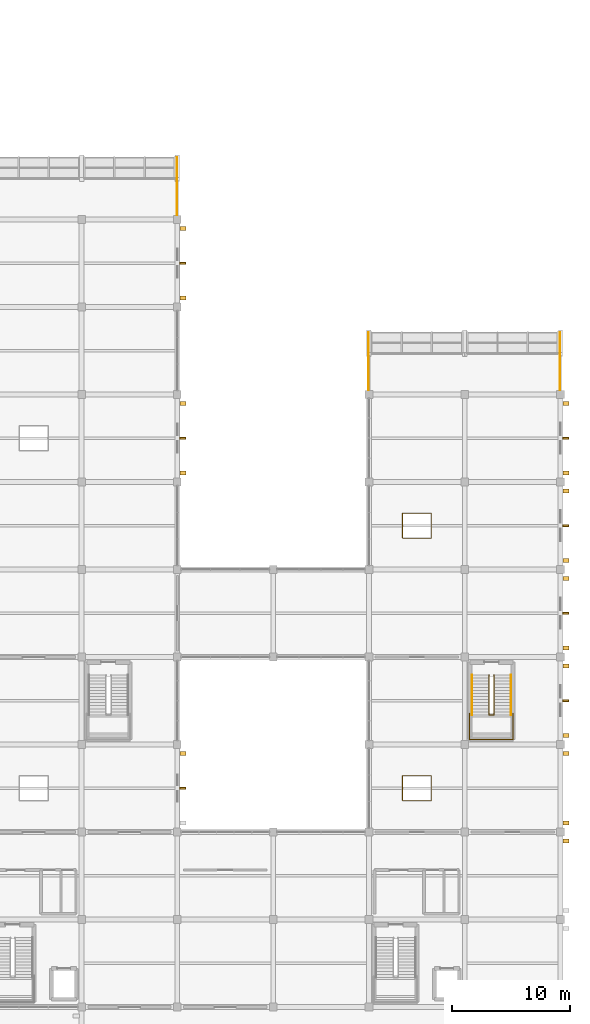
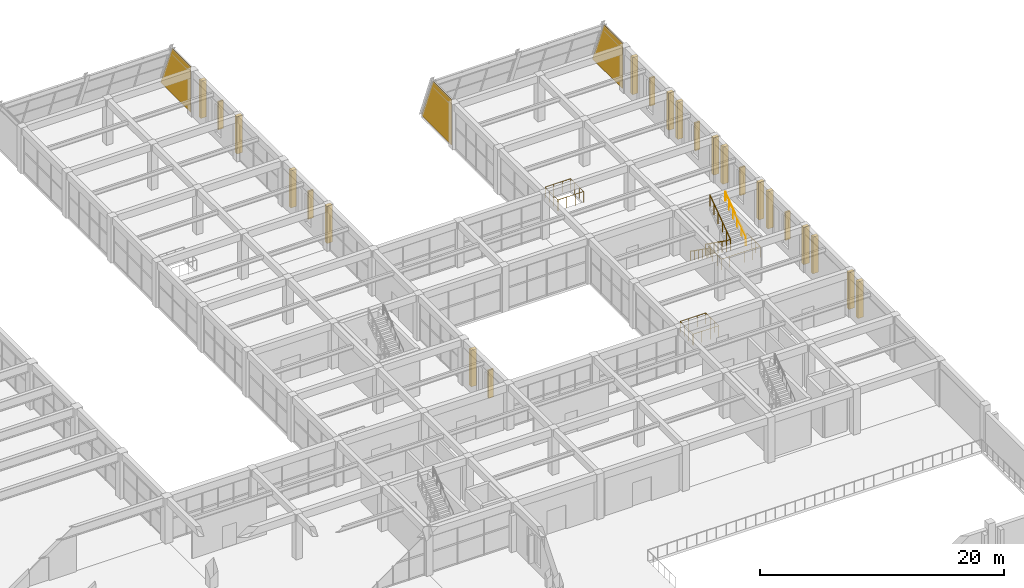
# One storey, part 161 of 161: 23 shading devices, 6 railings, 3 coverings.
"""IFC4 building model written with IfcOpenShell, lengths in metres."""

from ifc_helpers import new_model, si_unit, direction, frame, origin, origin_2d, place, context, subcontext, project, spatial, polyline, rectangle, circle, outline, extrude, material, layer, layer_set, type_object, element, save


model = new_model("IFC4")

# Units and contexts
model_context = context("Model", 3, precision=1e-05, world=origin(), true_north=direction((0.0, 1.0)))
body_context = subcontext(model_context, "Body", "Model", "MODEL_VIEW")
ifc_project = project(units=[si_unit("LENGTHUNIT", "METRE"), si_unit("AREAUNIT", "SQUARE_METRE"), si_unit("VOLUMEUNIT", "CUBIC_METRE"), si_unit("PLANEANGLEUNIT", "RADIAN"), si_unit("MASSUNIT", "GRAM", prefix="KILO")], contexts=[model_context])

# Site, building, storey
site_placement = place(None, origin())
site = spatial("IfcSite", under=ifc_project, at=site_placement, CompositionType="ELEMENT")
building_placement = place(site_placement, origin())
building = spatial("IfcBuilding", under=site, at=building_placement, Name="Cimatlan Art Gallery", CompositionType="ELEMENT")
storey_placement = place(building_placement, frame((0.0, 0.0, 5.39990234375)))
storey = spatial("IfcBuildingStorey", under=building, at=storey_placement, Name="L01", CompositionType="ELEMENT", Elevation=5.39990234375)

# Coverings
ifc_material_1 = material(Name="Queretaro cantera limestone ashlar hood-mould", Category="masonry")
ifc_layer = layer(ifc_material_1, 0.0419921875)
ifc_layer_set = layer_set([ifc_layer], Name="Queretaro cantera limestone ashlar hood-mould")
covering_type = type_object("IfcCoveringType", Name="COV-CLAD-CANTERA-42", PredefinedType="CLADDING", material=ifc_layer_set)
for number, where, z_axis, x_axis, name in (
    (1, (131.60009765625, 90.85009765625, 0.0), (1.0, 0.0, 0.0), (0.0, 1.0, 0.0), "CLD-PRW-L01-B4-E"),
    (2, (147.800048828125, 76.050048828125, 0.0), (1.0, 0.0, 0.0), (0.0, 1.0, 0.0), "CLD-PRW-L01-B5-W"),
    (3, (164.0, 76.050048828125, 0.0), (1.0, 0.0, 0.0), (0.0, 1.0, 0.0), "CLD-PRW-L01-B5-E"),
):
    element("IfcCovering", number, at=place(storey_placement, frame(where, z_axis=z_axis, x_axis=x_axis)), inside=storey, type_object=covering_type, Name=name, PredefinedType="CLADDING", context=body_context, shape_type="SweptSolid", body=[
        extrude(outline(polyline([(0.0, 0.0), (4.9228515625, 0.0), (3.031982421875, 4.580078125), (0.0, 4.580078125), (0.0, 0.0)])), origin(), (0.0, 0.0, -1.0), 0.0419921875),
    ])

# Railings
ifc_material_2 = material(Name="Painted steel and bronze interior balustrade", Category="steel")
railing_type_1 = type_object("IfcRailingType", Name="RL-BAL-INT-1120", PredefinedType="BALUSTRADE", material=ifc_material_2)
railing_1_placement = place(storey_placement, frame((156.31005859375, 48.7099609375, 2.400146484375)))
element("IfcRailing", 4, at=railing_1_placement, inside=storey, type_object=railing_type_1, Name="STR-C10-L01-LGRD", PredefinedType="BALUSTRADE", context=body_context, shape_type="SweptSolid", body=[
    extrude(circle(Radius=0.02392578125, at=origin_2d()), frame((0.0, 0.0, 1.09619140625), z_axis=(0.0, -1.0, 0.0), x_axis=(1.0, 0.0, 0.0)), (0.0, 0.0, 1.0), 2.199951171875),
    extrude(circle(Radius=0.02392578125, at=origin_2d()), frame((0.0, -2.199951171875, 1.09619140625), z_axis=(1.0, 0.0, 0.0), x_axis=(0.0, 1.0, 0.0)), (0.0, 0.0, 1.0), 3.669921875),
    extrude(circle(Radius=0.02392578125, at=origin_2d()), frame((3.669921875, -2.199951171875, 1.09619140625), z_axis=(0.0, 1.0, 0.0), x_axis=(-1.0, 0.0, 0.0)), (0.0, 0.0, 1.0), 2.199951171875),
    extrude(circle(Radius=0.02001953125, at=origin_2d()), origin(), (0.0, 0.0, 1.0), 1.072021484375),
    extrude(circle(Radius=0.02001953125, at=origin_2d()), frame((0.0, -0.7333984375, 0.0)), (0.0, 0.0, 1.0), 1.072021484375),
    extrude(circle(Radius=0.02001953125, at=origin_2d()), frame((0.0, -1.466552734375, 0.0)), (0.0, 0.0, 1.0), 1.072021484375),
    extrude(circle(Radius=0.02001953125, at=origin_2d()), frame((0.0, -2.199951171875, 0.0)), (0.0, 0.0, 1.0), 1.072021484375),
    extrude(circle(Radius=0.02001953125, at=origin_2d()), frame((0.73388671875, -2.199951171875, 0.0)), (0.0, 0.0, 1.0), 1.072021484375),
    extrude(circle(Radius=0.02001953125, at=origin_2d()), frame((1.468017578125, -2.199951171875, 0.0)), (0.0, 0.0, 1.0), 1.072021484375),
    extrude(circle(Radius=0.02001953125, at=origin_2d()), frame((2.201904296875, -2.199951171875, 0.0)), (0.0, 0.0, 1.0), 1.072021484375),
    extrude(circle(Radius=0.02001953125, at=origin_2d()), frame((2.93603515625, -2.199951171875, 0.0)), (0.0, 0.0, 1.0), 1.072021484375),
    extrude(circle(Radius=0.02001953125, at=origin_2d()), frame((3.669921875, -2.199951171875, 0.0)), (0.0, 0.0, 1.0), 1.072021484375),
    extrude(circle(Radius=0.02001953125, at=origin_2d()), frame((3.669921875, -1.466552734375, 0.0)), (0.0, 0.0, 1.0), 1.072021484375),
    extrude(circle(Radius=0.02001953125, at=origin_2d()), frame((3.669921875, -0.7333984375, 0.0)), (0.0, 0.0, 1.0), 1.072021484375),
    extrude(circle(Radius=0.02001953125, at=origin_2d()), frame((3.669921875, 0.0, 0.0)), (0.0, 0.0, 1.0), 1.072021484375),
])
railing_2_placement = place(storey_placement, frame((157.969970703125, 51.97998046875, 0.0)))
element("IfcRailing", 5, at=railing_2_placement, inside=storey, type_object=railing_type_1, Name="STR-C10-L01-GRD", PredefinedType="BALUSTRADE", context=body_context, shape_type="SweptSolid", body=[
    extrude(circle(Radius=0.02392578125, at=origin_2d()), frame((0.0, 0.0, 1.09619140625), z_axis=(0.0, -0.815334052488, 0.578990831408), x_axis=(1.0, 0.0, 0.0)), (0.0, 0.0, 1.0), 4.1455078125),
    extrude(circle(Radius=0.02392578125, at=origin_2d()), frame((0.0, -3.3798828125, 3.49609375), z_axis=(1.0, 0.0, 0.0), x_axis=(0.0, 1.0, 0.0)), (0.0, 0.0, 1.0), 0.400146484375),
    extrude(circle(Radius=0.02392578125, at=origin_2d()), frame((0.400146484375, -3.3798828125, 3.49609375), z_axis=(0.0, 0.81536185483, 0.578951678198), x_axis=(-1.0, 0.0, 0.0)), (0.0, 0.0, 1.0), 4.145263671875),
    extrude(circle(Radius=0.02001953125, at=origin_2d()), origin(), (0.0, 0.0, 1.0), 1.072021484375),
    extrude(circle(Radius=0.02001953125, at=origin_2d()), frame((0.0, -0.676025390625, 0.47998046875)), (0.0, 0.0, 1.0), 1.072021484375),
    extrude(circle(Radius=0.02001953125, at=origin_2d()), frame((0.0, -1.35205078125, 0.9599609375)), (0.0, 0.0, 1.0), 1.072021484375),
    extrude(circle(Radius=0.02001953125, at=origin_2d()), frame((0.0, -2.02783203125, 1.440185546875)), (0.0, 0.0, 1.0), 1.072021484375),
    extrude(circle(Radius=0.02001953125, at=origin_2d()), frame((0.0, -2.703857421875, 1.920166015625)), (0.0, 0.0, 1.0), 1.072021484375),
    extrude(circle(Radius=0.02001953125, at=origin_2d()), frame((0.0, -3.3798828125, 2.400146484375)), (0.0, 0.0, 1.0), 1.072021484375),
    extrude(circle(Radius=0.02001953125, at=origin_2d()), frame((0.400146484375, -3.3798828125, 2.400146484375)), (0.0, 0.0, 1.0), 1.072021484375),
    extrude(circle(Radius=0.02001953125, at=origin_2d()), frame((0.400146484375, -2.703857421875, 2.880126953125)), (0.0, 0.0, 1.0), 1.072021484375),
    extrude(circle(Radius=0.02001953125, at=origin_2d()), frame((0.400146484375, -2.02783203125, 3.360107421875)), (0.0, 0.0, 1.0), 1.072021484375),
    extrude(circle(Radius=0.02001953125, at=origin_2d()), frame((0.400146484375, -1.35205078125, 3.840087890625)), (0.0, 0.0, 1.0), 1.072021484375),
    extrude(circle(Radius=0.02001953125, at=origin_2d()), frame((0.400146484375, -0.676025390625, 4.320068359375)), (0.0, 0.0, 1.0), 1.072021484375),
    extrude(circle(Radius=0.02001953125, at=origin_2d()), frame((0.400146484375, 0.0, 4.800048828125)), (0.0, 0.0, 1.0), 1.072021484375),
])
railing_3_placement = place(storey_placement, frame((150.639892578125, 41.340087890625, 0.0)))
element("IfcRailing", 6, at=railing_3_placement, inside=storey, type_object=railing_type_1, Name="GR-OCU-L01-B5S", PredefinedType="BALUSTRADE", context=body_context, shape_type="SweptSolid", body=[
    extrude(circle(Radius=0.02392578125, at=origin_2d()), frame((0.0, 0.0, 1.09619140625), z_axis=(1.0, 0.0, 0.0), x_axis=(0.0, 1.0, 0.0)), (0.0, 0.0, 1.0), 2.420166015625),
    extrude(circle(Radius=0.02392578125, at=origin_2d()), frame((2.420166015625, 0.0, 1.09619140625), z_axis=(0.0, 1.0, 0.0), x_axis=(-1.0, 0.0, 0.0)), (0.0, 0.0, 1.0), 2.119873046875),
    extrude(circle(Radius=0.02392578125, at=origin_2d()), frame((2.420166015625, 2.119873046875, 1.09619140625), z_axis=(-1.0, 0.0, 0.0), x_axis=(0.0, -1.0, 0.0)), (0.0, 0.0, 1.0), 2.420166015625),
    extrude(circle(Radius=0.02392578125, at=origin_2d()), frame((0.0, 2.119873046875, 1.09619140625), z_axis=(0.0, -1.0, 0.0), x_axis=(1.0, 0.0, 0.0)), (0.0, 0.0, 1.0), 2.080078125),
    extrude(circle(Radius=0.02001953125, at=origin_2d()), origin(), (0.0, 0.0, 1.0), 1.072021484375),
    extrude(circle(Radius=0.02001953125, at=origin_2d()), frame((0.806640625, 0.0, 0.0)), (0.0, 0.0, 1.0), 1.072021484375),
    extrude(circle(Radius=0.02001953125, at=origin_2d()), frame((1.613525390625, 0.0, 0.0)), (0.0, 0.0, 1.0), 1.072021484375),
    extrude(circle(Radius=0.02001953125, at=origin_2d()), frame((2.420166015625, 0.0, 0.0)), (0.0, 0.0, 1.0), 1.072021484375),
    extrude(circle(Radius=0.02001953125, at=origin_2d()), frame((2.420166015625, 0.70654296875, 0.0)), (0.0, 0.0, 1.0), 1.072021484375),
    extrude(circle(Radius=0.02001953125, at=origin_2d()), frame((2.420166015625, 1.413330078125, 0.0)), (0.0, 0.0, 1.0), 1.072021484375),
    extrude(circle(Radius=0.02001953125, at=origin_2d()), frame((2.420166015625, 2.119873046875, 0.0)), (0.0, 0.0, 1.0), 1.072021484375),
    extrude(circle(Radius=0.02001953125, at=origin_2d()), frame((1.613525390625, 2.119873046875, 0.0)), (0.0, 0.0, 1.0), 1.072021484375),
    extrude(circle(Radius=0.02001953125, at=origin_2d()), frame((0.806640625, 2.119873046875, 0.0)), (0.0, 0.0, 1.0), 1.072021484375),
    extrude(circle(Radius=0.02001953125, at=origin_2d()), frame((0.0, 2.119873046875, 0.0)), (0.0, 0.0, 1.0), 1.072021484375),
    extrude(circle(Radius=0.02001953125, at=origin_2d()), frame((0.0, 1.426513671875, 0.0)), (0.0, 0.0, 1.0), 1.072021484375),
    extrude(circle(Radius=0.02001953125, at=origin_2d()), frame((0.0, 0.733154296875, 0.0)), (0.0, 0.0, 1.0), 1.072021484375),
    extrude(circle(Radius=0.02001953125, at=origin_2d()), frame((0.0, 0.039794921875, 0.0)), (0.0, 0.0, 1.0), 1.072021484375),
])
railing_4_placement = place(storey_placement, frame((150.639892578125, 63.5400390625, 0.0)))
element("IfcRailing", 7, at=railing_4_placement, inside=storey, type_object=railing_type_1, Name="GR-OCU-L01-B5N", PredefinedType="BALUSTRADE", context=body_context, shape_type="SweptSolid", body=[
    extrude(circle(Radius=0.02392578125, at=origin_2d()), frame((0.0, 0.0, 1.09619140625), z_axis=(1.0, 0.0, 0.0), x_axis=(0.0, 1.0, 0.0)), (0.0, 0.0, 1.0), 2.420166015625),
    extrude(circle(Radius=0.02392578125, at=origin_2d()), frame((2.420166015625, 0.0, 1.09619140625), z_axis=(0.0, 1.0, 0.0), x_axis=(-1.0, 0.0, 0.0)), (0.0, 0.0, 1.0), 2.119873046875),
    extrude(circle(Radius=0.02392578125, at=origin_2d()), frame((2.420166015625, 2.119873046875, 1.09619140625), z_axis=(-1.0, 0.0, 0.0), x_axis=(0.0, -1.0, 0.0)), (0.0, 0.0, 1.0), 2.420166015625),
    extrude(circle(Radius=0.02392578125, at=origin_2d()), frame((0.0, 2.119873046875, 1.09619140625), z_axis=(0.0, -1.0, 0.0), x_axis=(1.0, 0.0, 0.0)), (0.0, 0.0, 1.0), 2.079833984375),
    extrude(circle(Radius=0.02001953125, at=origin_2d()), origin(), (0.0, 0.0, 1.0), 1.072021484375),
    extrude(circle(Radius=0.02001953125, at=origin_2d()), frame((0.806640625, 0.0, 0.0)), (0.0, 0.0, 1.0), 1.072021484375),
    extrude(circle(Radius=0.02001953125, at=origin_2d()), frame((1.613525390625, 0.0, 0.0)), (0.0, 0.0, 1.0), 1.072021484375),
    extrude(circle(Radius=0.02001953125, at=origin_2d()), frame((2.420166015625, 0.0, 0.0)), (0.0, 0.0, 1.0), 1.072021484375),
    extrude(circle(Radius=0.02001953125, at=origin_2d()), frame((2.420166015625, 0.70654296875, 0.0)), (0.0, 0.0, 1.0), 1.072021484375),
    extrude(circle(Radius=0.02001953125, at=origin_2d()), frame((2.420166015625, 1.413330078125, 0.0)), (0.0, 0.0, 1.0), 1.072021484375),
    extrude(circle(Radius=0.02001953125, at=origin_2d()), frame((2.420166015625, 2.119873046875, 0.0)), (0.0, 0.0, 1.0), 1.072021484375),
    extrude(circle(Radius=0.02001953125, at=origin_2d()), frame((1.613525390625, 2.119873046875, 0.0)), (0.0, 0.0, 1.0), 1.072021484375),
    extrude(circle(Radius=0.02001953125, at=origin_2d()), frame((0.806640625, 2.119873046875, 0.0)), (0.0, 0.0, 1.0), 1.072021484375),
    extrude(circle(Radius=0.02001953125, at=origin_2d()), frame((0.0, 2.119873046875, 0.0)), (0.0, 0.0, 1.0), 1.072021484375),
    extrude(circle(Radius=0.02001953125, at=origin_2d()), frame((0.0, 1.426513671875, 0.0)), (0.0, 0.0, 1.0), 1.072021484375),
    extrude(circle(Radius=0.02001953125, at=origin_2d()), frame((0.0, 0.7333984375, 0.0)), (0.0, 0.0, 1.0), 1.072021484375),
    extrude(circle(Radius=0.02001953125, at=origin_2d()), frame((0.0, 0.0400390625, 0.0)), (0.0, 0.0, 1.0), 1.072021484375),
])
ifc_material_3 = material(Name="Brushed bronze stair handrail")
railing_type_2 = type_object("IfcRailingType", Name="RL-HND-INT-920", PredefinedType="HANDRAIL", material=ifc_material_3)
railing_5_placement = place(storey_placement, frame((156.510009765625, 51.97998046875, 0.0)))
element("IfcRailing", 8, at=railing_5_placement, inside=storey, type_object=railing_type_2, Name="STR-C10-L01-HR1", PredefinedType="HANDRAIL", context=body_context, shape_type="SweptSolid", body=[
    extrude(circle(Radius=0.02197265625, at=origin_2d()), frame((0.0, 0.0, 0.89794921875), z_axis=(0.0, -0.815334052488, 0.578990831408), x_axis=(1.0, 0.0, 0.0)), (0.0, 0.0, 1.0), 4.1455078125),
    extrude(circle(Radius=0.01904296875, at=origin_2d()), origin(), (0.0, 0.0, 1.0), 0.8759765625),
    extrude(circle(Radius=0.01904296875, at=origin_2d()), frame((0.0, -0.676025390625, 0.47998046875)), (0.0, 0.0, 1.0), 0.8759765625),
    extrude(circle(Radius=0.01904296875, at=origin_2d()), frame((0.0, -1.35205078125, 0.9599609375)), (0.0, 0.0, 1.0), 0.8759765625),
    extrude(circle(Radius=0.01904296875, at=origin_2d()), frame((0.0, -2.02783203125, 1.440185546875)), (0.0, 0.0, 1.0), 0.8759765625),
    extrude(circle(Radius=0.01904296875, at=origin_2d()), frame((0.0, -2.703857421875, 1.920166015625)), (0.0, 0.0, 1.0), 0.8759765625),
    extrude(circle(Radius=0.01904296875, at=origin_2d()), frame((0.0, -3.3798828125, 2.400146484375)), (0.0, 0.0, 1.0), 0.8759765625),
])
railing_6_placement = place(storey_placement, frame((159.830078125, 48.60009765625, 2.400146484375)))
element("IfcRailing", 9, at=railing_6_placement, inside=storey, type_object=railing_type_2, Name="STR-C10-L01-HR2", PredefinedType="HANDRAIL", context=body_context, shape_type="SweptSolid", body=[
    extrude(circle(Radius=0.02197265625, at=origin_2d()), frame((0.0, 0.0, 0.89794921875), z_axis=(0.0, 0.81536185483, 0.578951678198), x_axis=(-1.0, 0.0, 0.0)), (0.0, 0.0, 1.0), 4.145263671875),
    extrude(circle(Radius=0.01904296875, at=origin_2d()), origin(), (0.0, 0.0, 1.0), 0.8759765625),
    extrude(circle(Radius=0.01904296875, at=origin_2d()), frame((0.0, 0.676025390625, 0.47998046875)), (0.0, 0.0, 1.0), 0.8759765625),
    extrude(circle(Radius=0.01904296875, at=origin_2d()), frame((0.0, 1.35205078125, 0.9599609375)), (0.0, 0.0, 1.0), 0.8759765625),
    extrude(circle(Radius=0.01904296875, at=origin_2d()), frame((0.0, 2.02783203125, 1.43994140625)), (0.0, 0.0, 1.0), 0.8759765625),
    extrude(circle(Radius=0.01904296875, at=origin_2d()), frame((0.0, 2.703857421875, 1.919921875)), (0.0, 0.0, 1.0), 0.8759765625),
    extrude(circle(Radius=0.01904296875, at=origin_2d()), frame((0.0, 3.3798828125, 2.39990234375)), (0.0, 0.0, 1.0), 0.8759765625),
])

# Shading devices
ifc_material_4 = material(Name="Queretaro cantera limestone buttress pilaster", Category="masonry")
shading_device_type_1 = type_object("IfcShadingDeviceType", Name="SHD-BUT-520", PredefinedType="USERDEFINED", material=ifc_material_4)
shading_device_placement = place(storey_placement, frame((132.068115234375, 45.35107421875, 0.06005859375), z_axis=(0.0, 0.0, 1.0), x_axis=(0.0, -1.0, 0.0)))
element("IfcShadingDevice", 10, at=shading_device_placement, inside=storey, type_object=shading_device_type_1, Name="BUT-0181", ObjectType="FIN", PredefinedType="USERDEFINED", context=body_context, shape_type="SweptSolid", body=[
    extrude(rectangle(XDim=0.340087890625, YDim=0.52001953125, at=origin_2d()), origin(), (0.0, 0.0, 1.0), 3.675048828125),
])
for number, where, z_axis, x_axis, name in (
    (11, (132.068115234375, 74.950927734375, 0.06005859375), (0.0, 0.0, 1.0), (0.0, -1.0, 0.0), "BUT-0183"),
    (12, (132.068115234375, 69.049072265625, 0.06005859375), (0.0, 0.0, 1.0), (0.0, -1.0, 0.0), "BUT-0184"),
    (13, (132.068115234375, 89.7509765625, 0.06005859375), (0.0, 0.0, 1.0), (0.0, -1.0, 0.0), "BUT-0185"),
    (14, (132.068115234375, 83.84912109375, 0.06005859375), (0.0, 0.0, 1.0), (0.0, -1.0, 0.0), "BUT-0186"),
):
    element("IfcShadingDevice", number, at=place(storey_placement, frame(where, z_axis=z_axis, x_axis=x_axis)), inside=storey, type_object=shading_device_type_1, Name=name, ObjectType="FIN", PredefinedType="USERDEFINED", context=body_context, shape_type="SweptSolid", body=[
        extrude(rectangle(XDim=0.340087890625, YDim=0.52001953125, at=origin_2d()), origin(), (0.0, 0.0, 1.0), 3.72509765625),
    ])
for number, where, z_axis, x_axis, name in (
    (15, (164.468017578125, 37.950927734375, 0.06005859375), (0.0, 0.0, 1.0), (0.0, -1.0, 0.0), "BUT-0191"),
    (16, (164.468017578125, 45.35107421875, 0.06005859375), (0.0, 0.0, 1.0), (0.0, -1.0, 0.0), "BUT-0193"),
    (17, (164.468017578125, 39.448974609375, 0.06005859375), (0.0, 0.0, 1.0), (0.0, -1.0, 0.0), "BUT-0194"),
):
    element("IfcShadingDevice", number, at=place(storey_placement, frame(where, z_axis=z_axis, x_axis=x_axis)), inside=storey, type_object=shading_device_type_1, Name=name, ObjectType="FIN", PredefinedType="USERDEFINED", context=body_context, shape_type="SweptSolid", body=[
        extrude(rectangle(XDim=0.340087890625, YDim=0.52001953125, at=origin_2d()), origin(), (0.0, 0.0, 1.0), 3.675048828125),
    ])
for number, where, z_axis, x_axis, name in (
    (18, (164.468017578125, 52.7509765625, 0.06005859375), (0.0, 0.0, 1.0), (0.0, -1.0, 0.0), "BUT-0195"),
    (19, (164.468017578125, 46.84912109375, 0.06005859375), (0.0, 0.0, 1.0), (0.0, -1.0, 0.0), "BUT-0196"),
    (20, (164.468017578125, 60.15087890625, 0.06005859375), (0.0, 0.0, 1.0), (0.0, -1.0, 0.0), "BUT-0197"),
    (21, (164.468017578125, 54.2490234375, 0.06005859375), (0.0, 0.0, 1.0), (0.0, -1.0, 0.0), "BUT-0198"),
    (22, (164.468017578125, 67.551025390625, 0.06005859375), (0.0, 0.0, 1.0), (0.0, -1.0, 0.0), "BUT-0199"),
    (23, (164.468017578125, 61.64892578125, 0.06005859375), (0.0, 0.0, 1.0), (0.0, -1.0, 0.0), "BUT-0200"),
    (24, (164.468017578125, 74.950927734375, 0.06005859375), (0.0, 0.0, 1.0), (0.0, -1.0, 0.0), "BUT-0201"),
    (25, (164.468017578125, 69.049072265625, 0.06005859375), (0.0, 0.0, 1.0), (0.0, -1.0, 0.0), "BUT-0202"),
):
    element("IfcShadingDevice", number, at=place(storey_placement, frame(where, z_axis=z_axis, x_axis=x_axis)), inside=storey, type_object=shading_device_type_1, Name=name, ObjectType="FIN", PredefinedType="USERDEFINED", context=body_context, shape_type="SweptSolid", body=[
        extrude(rectangle(XDim=0.340087890625, YDim=0.52001953125, at=origin_2d()), origin(), (0.0, 0.0, 1.0), 3.72509765625),
    ])
ifc_material_5 = material(Name="Queretaro cantera limestone lancet mullion fin", Category="masonry")
shading_device_type_2 = type_object("IfcShadingDeviceType", Name="SHD-FIN-480", PredefinedType="USERDEFINED", material=ifc_material_5)
for number, where, z_axis, x_axis, name in (
    (26, (132.048095703125, 42.39990234375, 0.64990234375), (0.0, 0.0, 1.0), (0.0, -1.0, 0.0), "FIN-053"),
    (27, (132.048095703125, 72.0, 0.64990234375), (0.0, 0.0, 1.0), (0.0, -1.0, 0.0), "FIN-054"),
    (28, (132.048095703125, 86.800048828125, 0.64990234375), (0.0, 0.0, 1.0), (0.0, -1.0, 0.0), "FIN-055"),
    (29, (164.447998046875, 49.800048828125, 0.64990234375), (0.0, 0.0, 1.0), (0.0, -1.0, 0.0), "FIN-056"),
    (30, (164.447998046875, 57.199951171875, 0.64990234375), (0.0, 0.0, 1.0), (0.0, -1.0, 0.0), "FIN-057"),
    (31, (164.447998046875, 64.60009765625, 0.64990234375), (0.0, 0.0, 1.0), (0.0, -1.0, 0.0), "FIN-058"),
    (32, (164.447998046875, 72.0, 0.64990234375), (0.0, 0.0, 1.0), (0.0, -1.0, 0.0), "FIN-059"),
):
    element("IfcShadingDevice", number, at=place(storey_placement, frame(where, z_axis=z_axis, x_axis=x_axis)), inside=storey, type_object=shading_device_type_2, Name=name, ObjectType="FIN", PredefinedType="USERDEFINED", context=body_context, shape_type="SweptSolid", body=[
        extrude(rectangle(XDim=0.159912109375, YDim=0.47998046875, at=origin_2d()), origin(), (0.0, 0.0, 1.0), 2.800048828125),
    ])

save(model, "model.ifc")
